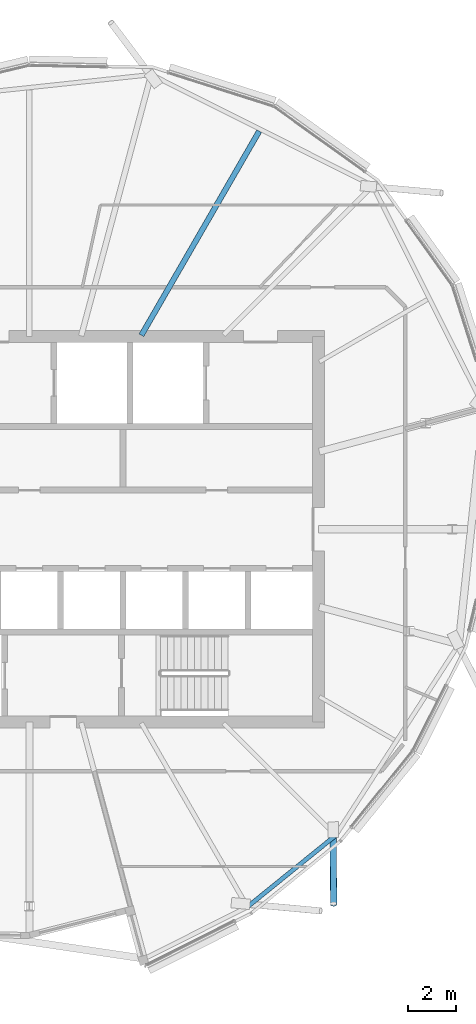
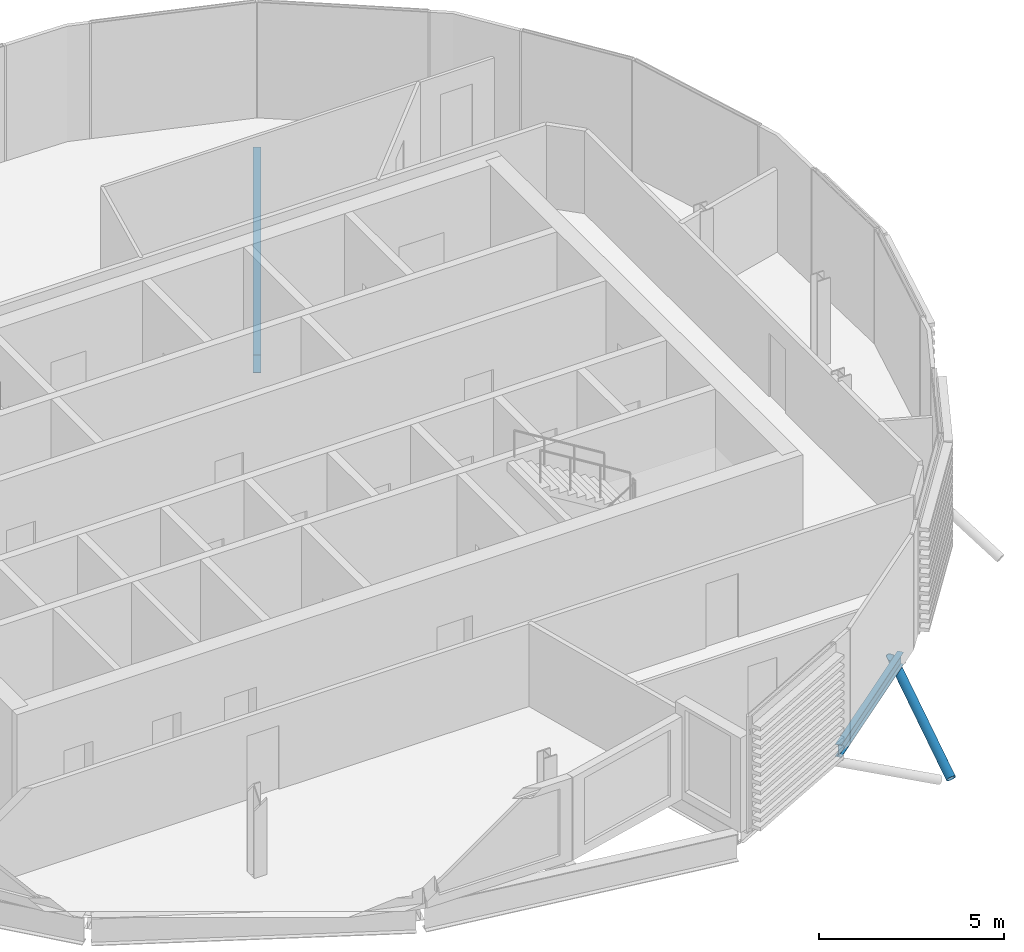
# One storey, part 12 of 33: 2 beams, 1 member.
"""IFC4 building model written with IfcOpenShell, lengths in metres."""

from ifc_helpers import new_model, si_unit, direction, frame, origin, origin_2d, place, context, subcontext, project, spatial, hollow_circle, i_section, extrude, clip, halfspace, material, material_profile, profile_set, type_object, element, save


model = new_model("IFC4")

# Units and contexts
model_context = context("Model", 3, precision=1e-05, world=origin(), true_north=direction((0.0, 1.0)))
body_context = subcontext(model_context, "Body", "Model", "MODEL_VIEW")
ifc_project = project(units=[si_unit("LENGTHUNIT", "METRE"), si_unit("AREAUNIT", "SQUARE_METRE"), si_unit("VOLUMEUNIT", "CUBIC_METRE"), si_unit("PLANEANGLEUNIT", "RADIAN"), si_unit("MASSUNIT", "GRAM", prefix="KILO")], contexts=[model_context])

# Site, building, storey
site_placement = place(None, origin())
site = spatial("IfcSite", under=ifc_project, at=site_placement, CompositionType="ELEMENT")
building_placement = place(site_placement, origin())
building = spatial("IfcBuilding", under=site, at=building_placement, Name="Rimbun Link Towers", CompositionType="ELEMENT")
storey_placement = place(building_placement, frame((0.0, 0.0, 240.89990234375)))
storey = spatial("IfcBuildingStorey", under=building, at=storey_placement, Name="L59", CompositionType="ELEMENT", Elevation=240.89990234375)

# Member
ifc_material_1 = material(Name="Steel S355J2H", Category="steel")
ifc_material_profile_1 = material_profile(ifc_material_1, hollow_circle(Radius=0.136474609375, WallThickness=0.012451171875, at=origin_2d()), Name="CHS 273x12.5")
ifc_profile_set_1 = profile_set([ifc_material_profile_1], Name="Steel S355J2H")
member_type = type_object("IfcMemberType", Name="Floor edge link CHS 273x12.5", PredefinedType="BRACE", material=ifc_profile_set_1)
member_placement = place(storey_placement, frame((44.368408203125, -12.618408203125, -0.60888671875), z_axis=(0.004264209924, -0.835234924497, -0.549876747476), x_axis=(0.999986967691, 0.005105335309, 0.0)))
element("IfcMember", 1, at=member_placement, inside=storey, type_object=member_type, Name="Floor edge link T2 L59 18", PredefinedType="BRACE", context=body_context, shape_type="Clipping", body=[
    clip(extrude(hollow_circle(Radius=0.136474609375, WallThickness=0.012451171875, at=origin_2d()), frame((0.0, 0.0, -0.432861328125)), (0.0, 0.0, 1.0), 3.982666015625), halfspace(frame((0.0, 0.0, -0.20361328125), z_axis=(0.0, 0.835245809678, -0.549876747476)), False)),
])

# Beams
ifc_material_2 = material(Name="Steel S355J2", Category="steel")
ifc_material_profile_2 = material_profile(ifc_material_2, i_section(OverallWidth=0.177978515625, OverallDepth=0.406494140625, WebThickness=0.0078125, FlangeThickness=0.0126953125, at=origin_2d()), Name="UB 406x178x60")
ifc_profile_set_2 = profile_set([ifc_material_profile_2], Name="Steel S355J2")
beam_type_1 = type_object("IfcBeamType", Name="UB 406x178x60", PredefinedType="BEAM", material=ifc_profile_set_2)
beam_1_placement = place(storey_placement, frame((40.8125, -15.676025390625, -0.343017578125), z_axis=(0.77729445117, 0.62913697728, 0.0), x_axis=(-0.62913697728, 0.77729445117, 0.0)))
element("IfcBeam", 2, at=beam_1_placement, inside=storey, type_object=beam_type_1, Name="Edge beam T2 L59 17", PredefinedType="BEAM", context=body_context, shape_type="SweptSolid", body=[
    extrude(i_section(OverallWidth=0.177978515625, OverallDepth=0.406494140625, WebThickness=0.0078125, FlangeThickness=0.0126953125, at=origin_2d()), origin(), (0.0, 0.0, 1.0), 4.701416015625),
])
ifc_material_3 = material(Name="Steel S355J2", Category="steel")
ifc_material_profile_3 = material_profile(ifc_material_3, i_section(OverallWidth=0.2275390625, OverallDepth=0.6025390625, WebThickness=0.010498046875, FlangeThickness=0.014892578125, at=origin_2d()), Name="UB 610x229x101")
ifc_profile_set_3 = profile_set([ifc_material_profile_3], Name="Steel S355J2")
beam_type_2 = type_object("IfcBeamType", Name="UB 610x229x101", PredefinedType="BEAM", material=ifc_profile_set_3)
beam_2_placement = place(storey_placement, frame((36.402099609375, 8.057861328125, -0.441162109375), z_axis=(0.500009012216, 0.866020200517, 0.0), x_axis=(-0.866020200517, 0.500009012216, 0.0)))
element("IfcBeam", 3, at=beam_2_placement, inside=storey, type_object=beam_type_2, Name="Radial beam T2 L59 01", PredefinedType="BEAM", context=body_context, shape_type="SweptSolid", body=[
    extrude(i_section(OverallWidth=0.2275390625, OverallDepth=0.6025390625, WebThickness=0.010498046875, FlangeThickness=0.014892578125, at=origin_2d()), origin(), (0.0, 0.0, 1.0), 9.783935546875),
])

save(model, "model.ifc")
